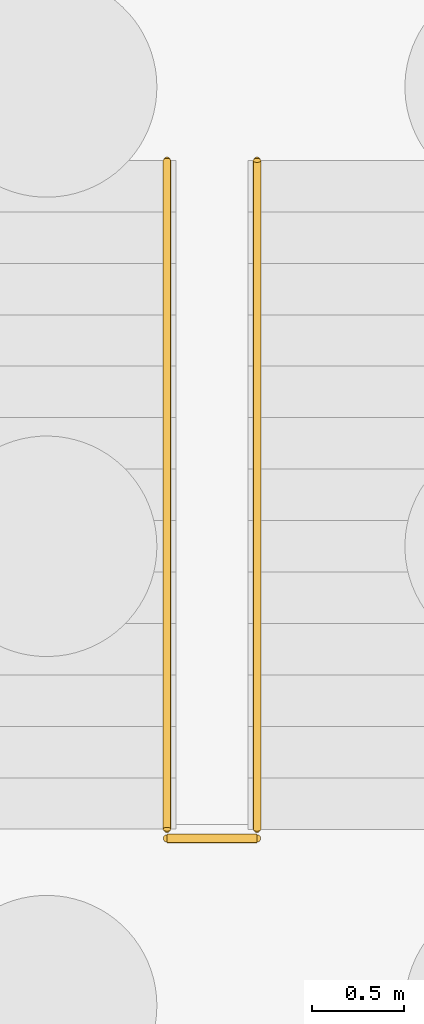
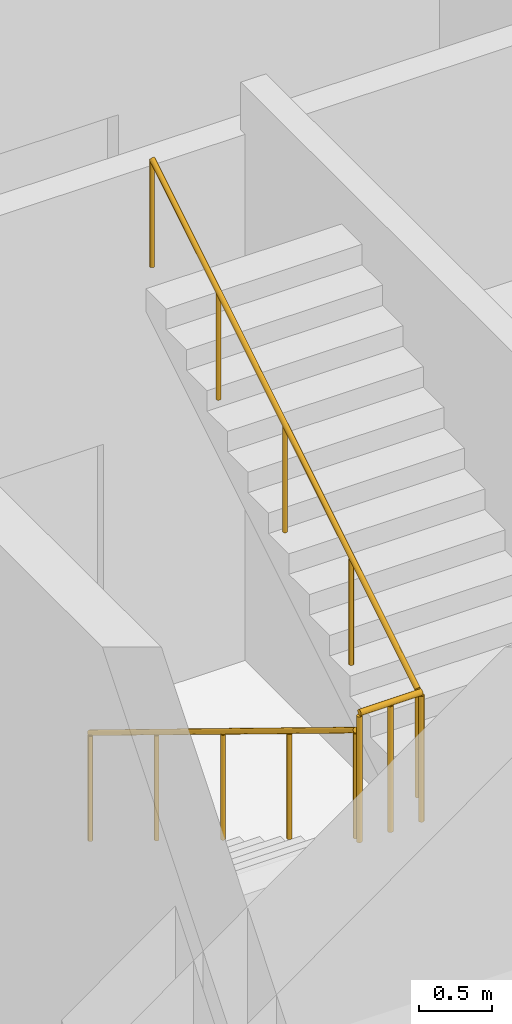
# One storey, part 25 of 27: 3 railings.
"""IFC4 building model written with IfcOpenShell, lengths in metres."""

from ifc_helpers import new_model, si_unit, direction, frame, origin, origin_2d, place, context, subcontext, project, spatial, circle, extrude, material, type_object, element, save


model = new_model("IFC4")

# Units and contexts
model_context = context("Model", 3, precision=1e-05, world=origin(), true_north=direction((0.0, 1.0)))
body_context = subcontext(model_context, "Body", "Model", "MODEL_VIEW")
ifc_project = project(units=[si_unit("LENGTHUNIT", "METRE"), si_unit("AREAUNIT", "SQUARE_METRE"), si_unit("VOLUMEUNIT", "CUBIC_METRE"), si_unit("PLANEANGLEUNIT", "RADIAN"), si_unit("MASSUNIT", "GRAM", prefix="KILO")], contexts=[model_context])

# Site, building, storey
site_placement = place(None, origin())
site = spatial("IfcSite", under=ifc_project, at=site_placement, CompositionType="ELEMENT")
building_placement = place(site_placement, origin())
building = spatial("IfcBuilding", under=site, at=building_placement, Name="Dornveld Trade and Exhibition Forum", CompositionType="ELEMENT")
storey_placement = place(building_placement, frame((0.0, 0.0, -4.800048828125)))
storey = spatial("IfcBuildingStorey", under=building, at=storey_placement, Name="B1", CompositionType="ELEMENT", Elevation=-4.800048828125)

# Railings
ifc_material_1 = material(Name="Brushed stainless steel handrail", Category="steel")
railing_type_1 = type_object("IfcRailingType", Name="RL-HAND-920", PredefinedType="HANDRAIL", material=ifc_material_1)
railing_1_placement = place(storey_placement, frame((209.60498046875, 23.35009765625, 0.17138671875)))
element("IfcRailing", 1, at=railing_1_placement, inside=storey, type_object=railing_type_1, Name="ST-11-B1 flight 1 handrail", PredefinedType="HANDRAIL", context=body_context, shape_type="SweptSolid", body=[
    extrude(circle(Radius=0.02099609375, at=origin_2d()), frame((0.0, 0.0, 0.89892578125), z_axis=(0.0, -0.852840387347, 0.522171689878), x_axis=(1.0, 0.0, 0.0)), (0.0, 0.0, 1.0), 4.268310546875),
    extrude(circle(Radius=0.01806640625, at=origin_2d()), origin(), (0.0, 0.0, 1.0), 0.8779296875),
    extrude(circle(Radius=0.01806640625, at=origin_2d()), frame((0.0, -0.91015625, 0.55712890625)), (0.0, 0.0, 1.0), 0.8779296875),
    extrude(circle(Radius=0.01806640625, at=origin_2d()), frame((0.0, -1.820068359375, 1.1142578125)), (0.0, 0.0, 1.0), 0.8779296875),
    extrude(circle(Radius=0.01806640625, at=origin_2d()), frame((0.0, -2.72998046875, 1.671630859375)), (0.0, 0.0, 1.0), 0.8779296875),
    extrude(circle(Radius=0.01806640625, at=origin_2d()), frame((0.0, -3.64013671875, 2.228759765625)), (0.0, 0.0, 1.0), 0.8779296875),
])
railing_2_placement = place(storey_placement, frame((210.094970703125, 19.7099609375, 2.571533203125)))
element("IfcRailing", 2, at=railing_2_placement, inside=storey, type_object=railing_type_1, Name="ST-11-B1 flight 2 handrail", PredefinedType="HANDRAIL", context=body_context, shape_type="SweptSolid", body=[
    extrude(circle(Radius=0.02099609375, at=origin_2d()), frame((0.0, 0.0, 0.89892578125), z_axis=(0.0, 0.852865859571, 0.52213008492), x_axis=(-1.0, 0.0, 0.0)), (0.0, 0.0, 1.0), 4.26806640625),
    extrude(circle(Radius=0.01806640625, at=origin_2d()), origin(), (0.0, 0.0, 1.0), 0.8779296875),
    extrude(circle(Radius=0.01806640625, at=origin_2d()), frame((0.0, 0.91015625, 0.55712890625)), (0.0, 0.0, 1.0), 0.8779296875),
    extrude(circle(Radius=0.01806640625, at=origin_2d()), frame((0.0, 1.820068359375, 1.1142578125)), (0.0, 0.0, 1.0), 0.8779296875),
    extrude(circle(Radius=0.01806640625, at=origin_2d()), frame((0.0, 2.72998046875, 1.67138671875)), (0.0, 0.0, 1.0), 0.8779296875),
    extrude(circle(Radius=0.01806640625, at=origin_2d()), frame((0.0, 3.64013671875, 2.228515625)), (0.0, 0.0, 1.0), 0.8779296875),
])
ifc_material_2 = material(Name="Painted steel S355J2 stair-well guard", Category="steel")
railing_type_2 = type_object("IfcRailingType", Name="RL-WELL-110", PredefinedType="GUARDRAIL", material=ifc_material_2)
railing_3_placement = place(storey_placement, frame((209.60498046875, 19.659912109375, 2.400146484375)))
element("IfcRailing", 3, at=railing_3_placement, inside=storey, type_object=railing_type_2, Name="ST-11-B1 half-landing well guard", PredefinedType="GUARDRAIL", context=body_context, shape_type="SweptSolid", body=[
    extrude(circle(Radius=0.02392578125, at=origin_2d()), frame((0.0, 0.0, 1.076171875), z_axis=(1.0, 0.0, 0.0), x_axis=(0.0, 1.0, 0.0)), (0.0, 0.0, 1.0), 0.489990234375),
    extrude(circle(Radius=0.02001953125, at=origin_2d()), origin(), (0.0, 0.0, 1.0), 1.052001953125),
    extrude(circle(Radius=0.02001953125, at=origin_2d()), frame((0.2451171875, 0.0, 0.0)), (0.0, 0.0, 1.0), 1.052001953125),
    extrude(circle(Radius=0.02001953125, at=origin_2d()), frame((0.489990234375, 0.0, 0.0)), (0.0, 0.0, 1.0), 1.052001953125),
])

save(model, "model.ifc")
